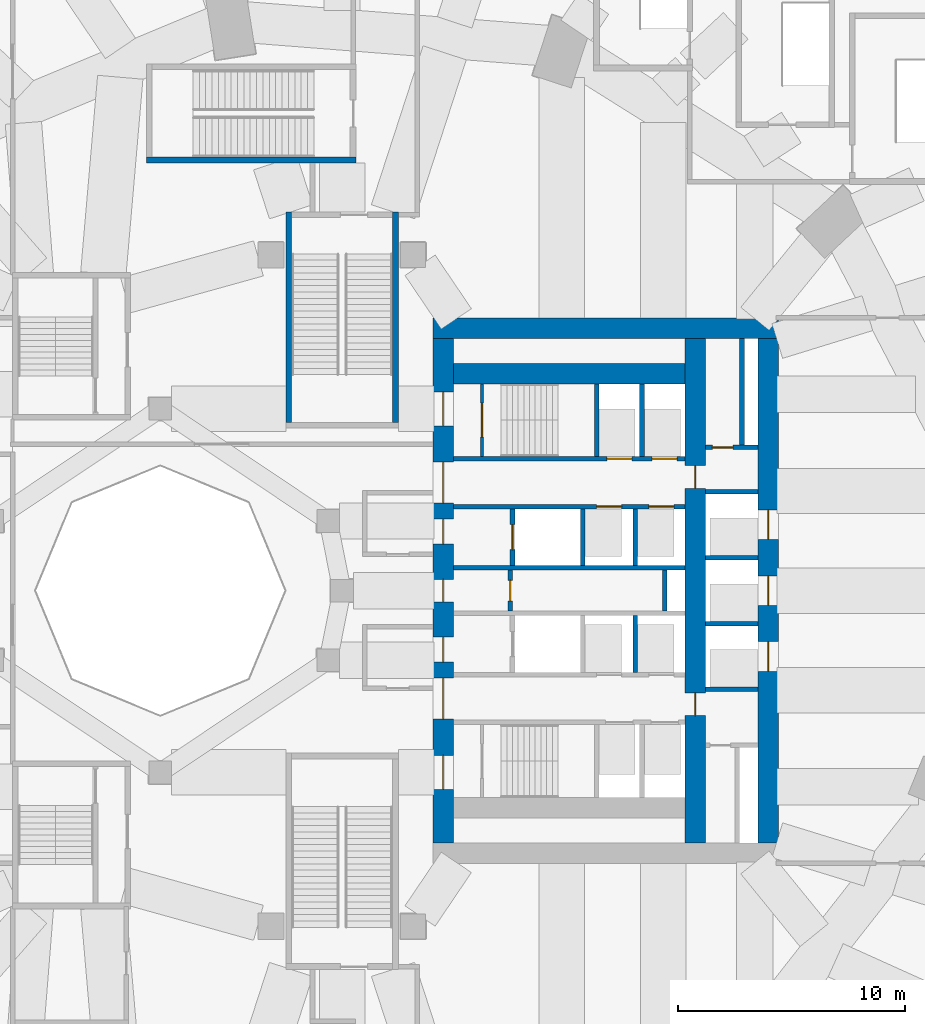
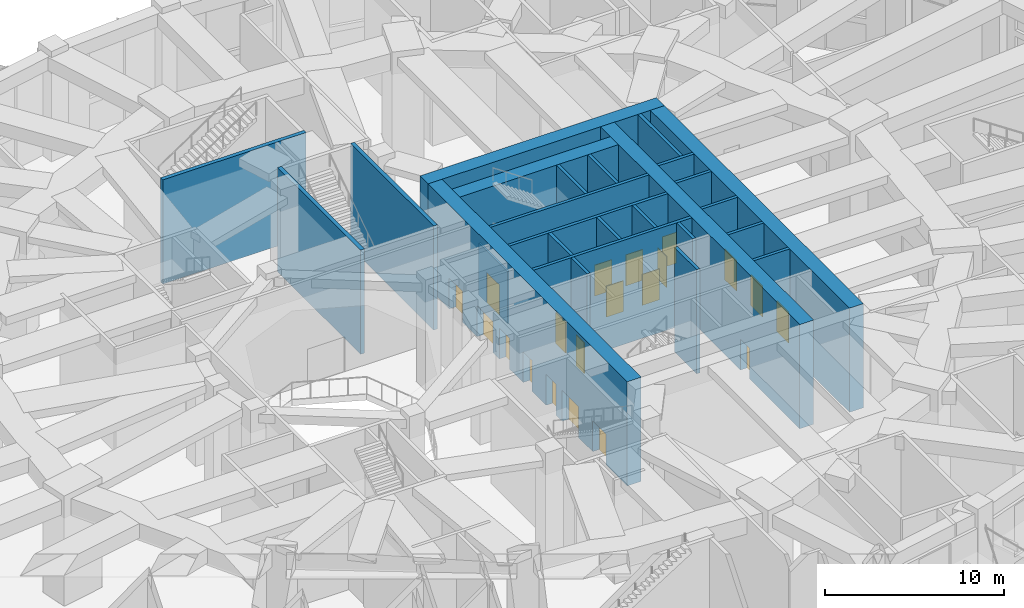
# One storey, part 37 of 60: 26 walls, 20 doors, 20 openings.
"""IFC4 building model written with IfcOpenShell, lengths in metres."""

from ifc_helpers import new_model, si_unit, direction, frame, frame_2d, origin, place, context, subcontext, project, spatial, rectangle, extrude, material, layer, layer_set, type_object, element, fill, save


model = new_model("IFC4")

# Units and contexts
model_context = context("Model", 3, precision=1e-05, world=origin(), true_north=direction((0.0, 1.0)))
body_context = subcontext(model_context, "Body", "Model", "MODEL_VIEW")
ifc_project = project(units=[si_unit("LENGTHUNIT", "METRE"), si_unit("AREAUNIT", "SQUARE_METRE"), si_unit("VOLUMEUNIT", "CUBIC_METRE"), si_unit("PLANEANGLEUNIT", "RADIAN"), si_unit("MASSUNIT", "GRAM", prefix="KILO")], contexts=[model_context])

# Site, building, storey
site_placement = place(None, origin())
site = spatial("IfcSite", under=ifc_project, at=site_placement, CompositionType="ELEMENT")
building_placement = place(site_placement, origin())
building = spatial("IfcBuilding", under=site, at=building_placement, Name="Taillehof Tower", CompositionType="ELEMENT")
storey_placement = place(building_placement, origin())
storey = spatial("IfcBuildingStorey", under=building, at=storey_placement, Name="L00", CompositionType="ELEMENT", Elevation=0.0)

# Wall, opening, door
ifc_material_1 = material(Name="Calcium silicate masonry", Category="masonry")
ifc_layer_1 = layer(ifc_material_1, 0.199951171875)
ifc_layer_set_1 = layer_set([ifc_layer_1], Name="Compartment wall calcium silicate 200")
wall_type_1 = type_object("IfcWallType", Name="Compartment wall calcium silicate 200", PredefinedType="PARTITIONING", material=ifc_layer_set_1)
wall_1_placement = place(storey_placement, frame((7.39990234375, -0.89990234375, 0.0), z_axis=(0.0, 0.0, 1.0), x_axis=(0.0, 1.0, 0.0)))
wall_1 = element("IfcWall", 1, at=wall_1_placement, inside=storey, type_object=wall_type_1, Name="Compartment wall FW", PredefinedType="PARTITIONING", context=body_context, shape_type="SweptSolid", body=[
    extrude(rectangle(XDim=1.7998046875, YDim=0.199951171875, at=frame_2d((0.89990234375, 0.0))), origin(), (0.0, 0.0, 1.0), 7.090087890625),
])
opening_1_placement = place(wall_1_placement, frame((0.449951171875, 0.0, 0.0)))
opening_1 = element("IfcOpeningElement", 2, at=opening_1_placement, cuts=wall_1, Name="Opening D0012", PredefinedType="OPENING", context=body_context, shape_type="SweptSolid", body=[
    extrude(rectangle(XDim=0.89990234375, YDim=2.10009765625, at=frame_2d((0.449951171875, 1.050048828125))), frame((0.0, 0.10986328125, 0.0), z_axis=(0.0, -1.0, 0.0), x_axis=(1.0, 0.0, 0.0)), (0.0, 0.0, 1.0), 0.219970703125),
])
ifc_material_2 = material(Name="Steel-faced fire door", Category="steel")
door_type_1 = type_object("IfcDoorType", Name="Riser and service room door 900x2100", OperationType="SINGLE_SWING_LEFT", PredefinedType="DOOR", material=ifc_material_2)
door_1_placement = place(opening_1_placement, origin())
door_1 = element("IfcDoor", 3, at=door_1_placement, inside=storey, type_object=door_type_1, Name="Door Electrical Room", OperationType="SINGLE_SWING_RIGHT", OverallHeight=2.10009765625, OverallWidth=0.89990234375, PredefinedType="DOOR", context=body_context, shape_type="SweptSolid", body=[
    extrude(rectangle(XDim=0.89990234375, YDim=2.10009765625, at=frame_2d((0.449951171875, 1.050048828125))), frame((0.0, 0.02490234375, 0.0), z_axis=(0.0, -1.0, 0.0), x_axis=(1.0, 0.0, 0.0)), (0.0, 0.0, 1.0), 0.050048828125),
])
fill(opening_1, door_1)

# Wall
wall_2_placement = place(storey_placement, frame((14.199951171875, -0.89990234375, 0.0), z_axis=(0.0, 0.0, 1.0), x_axis=(0.0, 1.0, 0.0)))
element("IfcWall", 4, at=wall_2_placement, inside=storey, type_object=wall_type_1, Name="Compartment wall FW", PredefinedType="PARTITIONING", context=body_context, shape_type="SweptSolid", body=[
    extrude(rectangle(XDim=1.7998046875, YDim=0.199951171875, at=frame_2d((0.89990234375, 0.0))), origin(), (0.0, 0.0, 1.0), 7.090087890625),
])

# Wall, opening, door
wall_3_placement = place(storey_placement, frame((16.0, 6.300048828125, 0.0), z_axis=(0.0, 0.0, 1.0), x_axis=(1.0, 0.0, 0.0)))
wall_3 = element("IfcWall", 5, at=wall_3_placement, inside=storey, type_object=wall_type_1, Name="Compartment wall FW", PredefinedType="PARTITIONING", context=body_context, shape_type="SweptSolid", body=[
    extrude(rectangle(XDim=2.300048828125, YDim=0.199951171875, at=frame_2d((1.14990234375, 0.0))), origin(), (0.0, 0.0, 1.0), 7.090087890625),
])
opening_2_placement = place(wall_3_placement, frame((0.300048828125, 0.0, 0.0)))
opening_2 = element("IfcOpeningElement", 6, at=opening_2_placement, cuts=wall_3, Name="Opening D0014", PredefinedType="OPENING", context=body_context, shape_type="SweptSolid", body=[
    extrude(rectangle(XDim=0.89990234375, YDim=2.10009765625, at=frame_2d((0.449951171875, 1.050048828125))), frame((0.0, 0.10986328125, 0.0), z_axis=(0.0, -1.0, 0.0), x_axis=(1.0, 0.0, 0.0)), (0.0, 0.0, 1.0), 0.219970703125),
])
door_2_placement = place(opening_2_placement, origin())
door_2 = element("IfcDoor", 7, at=door_2_placement, inside=storey, type_object=door_type_1, Name="Door Electrical Room", OperationType="SINGLE_SWING_RIGHT", OverallHeight=2.10009765625, OverallWidth=0.89990234375, PredefinedType="DOOR", context=body_context, shape_type="SweptSolid", body=[
    extrude(rectangle(XDim=0.89990234375, YDim=2.10009765625, at=frame_2d((0.449951171875, 1.050048828125))), frame((0.0, 0.02490234375, 0.0), z_axis=(0.0, -1.0, 0.0), x_axis=(1.0, 0.0, 0.0)), (0.0, 0.0, 1.0), 0.050048828125),
])
fill(opening_2, door_2)

# Wall
wall_4_placement = place(storey_placement, frame((17.60009765625, 6.39990234375, 0.0), z_axis=(0.0, 0.0, 1.0), x_axis=(0.0, 1.0, 0.0)))
element("IfcWall", 8, at=wall_4_placement, inside=storey, type_object=wall_type_1, Name="Compartment wall FW", PredefinedType="PARTITIONING", context=body_context, shape_type="SweptSolid", body=[
    extrude(rectangle(XDim=4.7001953125, YDim=0.199951171875, at=frame_2d((2.35009765625, 0.0))), origin(), (0.0, 0.0, 1.0), 7.090087890625),
])

# Wall, openings, doors
ifc_material_3 = material(Name="Concrete C80/95", Category="concrete")
ifc_layer_2 = layer(ifc_material_3, 0.89990234375)
ifc_layer_set_2 = layer_set([ifc_layer_2], Name="Core wall C80/95 900")
wall_type_2 = type_object("IfcWallType", Name="Core wall C80/95 900", PredefinedType="SHEAR", material=ifc_layer_set_2)
wall_5_placement = place(storey_placement, frame((4.449951171875, -11.10009765625, 0.0), z_axis=(0.0, 0.0, 1.0), x_axis=(0.0, 1.0, 0.0)))
wall_5 = element("IfcWall", 9, at=wall_5_placement, inside=storey, type_object=wall_type_2, Name="Core wall CW01", PredefinedType="SHEAR", context=body_context, shape_type="SweptSolid", body=[
    extrude(rectangle(XDim=22.2001953125, YDim=0.89990234375, at=frame_2d((11.10009765625, 0.0))), origin(), (0.0, 0.0, 1.0), 7.090087890625),
])
opening_3_placement = place(wall_5_placement, frame((2.35009765625, 0.0, 0.0)))
opening_3 = element("IfcOpeningElement", 10, at=opening_3_placement, cuts=wall_5, Name="Opening D0001", PredefinedType="OPENING", context=body_context, shape_type="SweptSolid", body=[
    extrude(rectangle(XDim=1.5, YDim=2.10009765625, at=frame_2d((0.75, 1.050048828125))), frame((0.0, 0.4599609375, 0.0), z_axis=(0.0, -1.0, 0.0), x_axis=(1.0, 0.0, 0.0)), (0.0, 0.0, 1.0), 0.919921875),
])
opening_4_placement = place(wall_5_placement, frame((5.449951171875, 0.0, 0.0)))
opening_4 = element("IfcOpeningElement", 11, at=opening_4_placement, cuts=wall_5, Name="Opening D0002", PredefinedType="OPENING", context=body_context, shape_type="SweptSolid", body=[
    extrude(rectangle(XDim=1.800048828125, YDim=2.10009765625, at=frame_2d((0.89990234375, 1.050048828125))), frame((0.0, 0.4599609375, 0.0), z_axis=(0.0, -1.0, 0.0), x_axis=(1.0, 0.0, 0.0)), (0.0, 0.0, 1.0), 0.919921875),
])
opening_5_placement = place(wall_5_placement, frame((7.949951171875, 0.0, 0.0)))
opening_5 = element("IfcOpeningElement", 12, at=opening_5_placement, cuts=wall_5, Name="Opening D0003", PredefinedType="OPENING", context=body_context, shape_type="SweptSolid", body=[
    extrude(rectangle(XDim=1.10009765625, YDim=2.10009765625, at=frame_2d((0.550048828125, 1.050048828125))), frame((0.0, 0.4599609375, 0.0), z_axis=(0.0, -1.0, 0.0), x_axis=(1.0, 0.0, 0.0)), (0.0, 0.0, 1.0), 0.919921875),
])
opening_6_placement = place(wall_5_placement, frame((10.60009765625, 0.0, 0.0)))
opening_6 = element("IfcOpeningElement", 13, at=opening_6_placement, cuts=wall_5, Name="Opening D0004", PredefinedType="OPENING", context=body_context, shape_type="SweptSolid", body=[
    extrude(rectangle(XDim=1.0, YDim=2.10009765625, at=frame_2d((0.5, 1.050048828125))), frame((0.0, 0.4599609375, 0.0), z_axis=(0.0, -1.0, 0.0), x_axis=(1.0, 0.0, 0.0)), (0.0, 0.0, 1.0), 0.919921875),
])
opening_7_placement = place(wall_5_placement, frame((13.14990234375, 0.0, 0.0)))
opening_7 = element("IfcOpeningElement", 14, at=opening_7_placement, cuts=wall_5, Name="Opening D0005", PredefinedType="OPENING", context=body_context, shape_type="SweptSolid", body=[
    extrude(rectangle(XDim=1.10009765625, YDim=2.10009765625, at=frame_2d((0.550048828125, 1.050048828125))), frame((0.0, 0.4599609375, 0.0), z_axis=(0.0, -1.0, 0.0), x_axis=(1.0, 0.0, 0.0)), (0.0, 0.0, 1.0), 0.919921875),
])
opening_8_placement = place(wall_5_placement, frame((14.949951171875, 0.0, 0.0)))
opening_8 = element("IfcOpeningElement", 15, at=opening_8_placement, cuts=wall_5, Name="Opening D0006", PredefinedType="OPENING", context=body_context, shape_type="SweptSolid", body=[
    extrude(rectangle(XDim=1.800048828125, YDim=2.10009765625, at=frame_2d((0.89990234375, 1.050048828125))), frame((0.0, 0.4599609375, 0.0), z_axis=(0.0, -1.0, 0.0), x_axis=(1.0, 0.0, 0.0)), (0.0, 0.0, 1.0), 0.919921875),
])
opening_9_placement = place(wall_5_placement, frame((18.35009765625, 0.0, 0.0)))
opening_9 = element("IfcOpeningElement", 16, at=opening_9_placement, cuts=wall_5, Name="Opening D0007", PredefinedType="OPENING", context=body_context, shape_type="SweptSolid", body=[
    extrude(rectangle(XDim=1.5, YDim=2.10009765625, at=frame_2d((0.75, 1.050048828125))), frame((0.0, 0.4599609375, 0.0), z_axis=(0.0, -1.0, 0.0), x_axis=(1.0, 0.0, 0.0)), (0.0, 0.0, 1.0), 0.919921875),
])
ifc_material_4 = material(Name="Steel-faced fire door", Category="steel")
door_type_2 = type_object("IfcDoorType", Name="Firefighting lobby door 1100x2100", OperationType="SINGLE_SWING_RIGHT", PredefinedType="DOOR", material=ifc_material_4)
door_3_placement = place(opening_5_placement, origin())
door_3 = element("IfcDoor", 17, at=door_3_placement, inside=storey, type_object=door_type_2, Name="Firefighting lobby door FFL-S", OperationType="SINGLE_SWING_RIGHT", OverallHeight=2.10009765625, OverallWidth=1.10009765625, PredefinedType="DOOR", context=body_context, shape_type="SweptSolid", body=[
    extrude(rectangle(XDim=1.10009765625, YDim=2.10009765625, at=frame_2d((0.550048828125, 1.050048828125))), frame((0.0, 0.02490234375, 0.0), z_axis=(0.0, -1.0, 0.0), x_axis=(1.0, 0.0, 0.0)), (0.0, 0.0, 1.0), 0.050048828125),
])
fill(opening_5, door_3)
door_4_placement = place(opening_7_placement, origin())
door_4 = element("IfcDoor", 18, at=door_4_placement, inside=storey, type_object=door_type_2, Name="Firefighting lobby door FFL-N", OperationType="SINGLE_SWING_LEFT", OverallHeight=2.10009765625, OverallWidth=1.10009765625, PredefinedType="DOOR", context=body_context, shape_type="SweptSolid", body=[
    extrude(rectangle(XDim=1.10009765625, YDim=2.10009765625, at=frame_2d((0.550048828125, 1.050048828125))), frame((0.0, 0.02490234375, 0.0), z_axis=(0.0, -1.0, 0.0), x_axis=(1.0, 0.0, 0.0)), (0.0, 0.0, 1.0), 0.050048828125),
])
fill(opening_7, door_4)
ifc_material_5 = material(Name="Steel-faced fire door", Category="steel")
door_type_3 = type_object("IfcDoorType", Name="Lift lobby door 1800x2100", OperationType="DOUBLE_DOOR_SINGLE_SWING", PredefinedType="DOOR", material=ifc_material_5)
door_5_placement = place(opening_4_placement, origin())
door_5 = element("IfcDoor", 19, at=door_5_placement, inside=storey, type_object=door_type_3, Name="Lift lobby door LL-S", OperationType="DOUBLE_DOOR_SINGLE_SWING", OverallHeight=2.10009765625, OverallWidth=1.800048828125, PredefinedType="DOOR", context=body_context, shape_type="SweptSolid", body=[
    extrude(rectangle(XDim=1.800048828125, YDim=2.10009765625, at=frame_2d((0.89990234375, 1.050048828125))), frame((0.0, 0.02490234375, 0.0), z_axis=(0.0, -1.0, 0.0), x_axis=(1.0, 0.0, 0.0)), (0.0, 0.0, 1.0), 0.050048828125),
])
fill(opening_4, door_5)
door_6_placement = place(opening_8_placement, origin())
door_6 = element("IfcDoor", 20, at=door_6_placement, inside=storey, type_object=door_type_3, Name="Lift lobby door LL-N", OperationType="DOUBLE_DOOR_SINGLE_SWING", OverallHeight=2.10009765625, OverallWidth=1.800048828125, PredefinedType="DOOR", context=body_context, shape_type="SweptSolid", body=[
    extrude(rectangle(XDim=1.800048828125, YDim=2.10009765625, at=frame_2d((0.89990234375, 1.050048828125))), frame((0.0, 0.02490234375, 0.0), z_axis=(0.0, -1.0, 0.0), x_axis=(1.0, 0.0, 0.0)), (0.0, 0.0, 1.0), 0.050048828125),
])
fill(opening_8, door_6)
ifc_material_6 = material(Name="Steel-faced fire door", Category="steel")
door_type_4 = type_object("IfcDoorType", Name="Service door 1000x2100", OperationType="SINGLE_SWING_RIGHT", PredefinedType="DOOR", material=ifc_material_6)
door_7_placement = place(opening_6_placement, origin())
door_7 = element("IfcDoor", 21, at=door_7_placement, inside=storey, type_object=door_type_4, Name="Service door SV", OperationType="SINGLE_SWING_RIGHT", OverallHeight=2.10009765625, OverallWidth=1.0, PredefinedType="DOOR", context=body_context, shape_type="SweptSolid", body=[
    extrude(rectangle(XDim=1.0, YDim=2.10009765625, at=frame_2d((0.5, 1.050048828125))), frame((0.0, 0.02490234375, 0.0), z_axis=(0.0, -1.0, 0.0), x_axis=(1.0, 0.0, 0.0)), (0.0, 0.0, 1.0), 0.050048828125),
])
fill(opening_6, door_7)
ifc_material_7 = material(Name="Steel-faced fire door", Category="steel")
door_type_5 = type_object("IfcDoorType", Name="Stair door 1500x2100", OperationType="DOUBLE_DOOR_SINGLE_SWING", PredefinedType="DOOR", material=ifc_material_7)
door_8_placement = place(opening_3_placement, origin())
door_8 = element("IfcDoor", 22, at=door_8_placement, inside=storey, type_object=door_type_5, Name="Stair door S2", OperationType="DOUBLE_DOOR_SINGLE_SWING", OverallHeight=2.10009765625, OverallWidth=1.5, PredefinedType="DOOR", context=body_context, shape_type="SweptSolid", body=[
    extrude(rectangle(XDim=1.5, YDim=2.10009765625, at=frame_2d((0.75, 1.050048828125))), frame((0.0, 0.02490234375, 0.0), z_axis=(0.0, -1.0, 0.0), x_axis=(1.0, 0.0, 0.0)), (0.0, 0.0, 1.0), 0.050048828125),
])
fill(opening_3, door_8)
door_9_placement = place(opening_9_placement, origin())
door_9 = element("IfcDoor", 23, at=door_9_placement, inside=storey, type_object=door_type_5, Name="Stair door S1", OperationType="DOUBLE_DOOR_SINGLE_SWING", OverallHeight=2.10009765625, OverallWidth=1.5, PredefinedType="DOOR", context=body_context, shape_type="SweptSolid", body=[
    extrude(rectangle(XDim=1.5, YDim=2.10009765625, at=frame_2d((0.75, 1.050048828125))), frame((0.0, 0.02490234375, 0.0), z_axis=(0.0, -1.0, 0.0), x_axis=(1.0, 0.0, 0.0)), (0.0, 0.0, 1.0), 0.050048828125),
])
fill(opening_9, door_9)

wall_6_placement = place(storey_placement, frame((18.75, -11.10009765625, 0.0), z_axis=(0.0, 0.0, 1.0), x_axis=(0.0, 1.0, 0.0)))
wall_6 = element("IfcWall", 24, at=wall_6_placement, inside=storey, type_object=wall_type_2, Name="Core wall CW02", PredefinedType="SHEAR", context=body_context, shape_type="SweptSolid", body=[
    extrude(rectangle(XDim=22.2001953125, YDim=0.89990234375, at=frame_2d((11.10009765625, 0.0))), origin(), (0.0, 0.0, 1.0), 7.090087890625),
])
opening_10_placement = place(wall_6_placement, frame((7.550048828125, 0.0, 0.0)))
opening_10 = element("IfcOpeningElement", 25, at=opening_10_placement, cuts=wall_6, Name="Opening LD3", PredefinedType="OPENING", context=body_context, shape_type="SweptSolid", body=[
    extrude(rectangle(XDim=1.300048828125, YDim=2.10009765625, at=frame_2d((0.64990234375, 1.050048828125))), frame((0.0, 0.4599609375, 0.0), z_axis=(0.0, -1.0, 0.0), x_axis=(1.0, 0.0, 0.0)), (0.0, 0.0, 1.0), 0.919921875),
])
opening_11_placement = place(wall_6_placement, frame((10.449951171875, 0.0, 0.0)))
opening_11 = element("IfcOpeningElement", 26, at=opening_11_placement, cuts=wall_6, Name="Opening LD3", PredefinedType="OPENING", context=body_context, shape_type="SweptSolid", body=[
    extrude(rectangle(XDim=1.300048828125, YDim=2.10009765625, at=frame_2d((0.64990234375, 1.050048828125))), frame((0.0, 0.4599609375, 0.0), z_axis=(0.0, -1.0, 0.0), x_axis=(1.0, 0.0, 0.0)), (0.0, 0.0, 1.0), 0.919921875),
])
opening_12_placement = place(wall_6_placement, frame((13.35009765625, 0.0, 0.0)))
opening_12 = element("IfcOpeningElement", 27, at=opening_12_placement, cuts=wall_6, Name="Opening LD3", PredefinedType="OPENING", context=body_context, shape_type="SweptSolid", body=[
    extrude(rectangle(XDim=1.300048828125, YDim=2.10009765625, at=frame_2d((0.64990234375, 1.050048828125))), frame((0.0, 0.4599609375, 0.0), z_axis=(0.0, -1.0, 0.0), x_axis=(1.0, 0.0, 0.0)), (0.0, 0.0, 1.0), 0.919921875),
])
ifc_material_8 = material(Name="Stainless steel", Category="steel")
door_type_6 = type_object("IfcDoorType", Name="Lift landing door LD3 1300x2100", OperationType="DOUBLE_DOOR_SLIDING", PredefinedType="DOOR", material=ifc_material_8)
door_10_placement = place(opening_10_placement, origin())
door_10 = element("IfcDoor", 28, at=door_10_placement, inside=storey, type_object=door_type_6, Name="Landing door SH1", OperationType="DOUBLE_DOOR_SLIDING", OverallHeight=2.10009765625, OverallWidth=1.300048828125, PredefinedType="DOOR", context=body_context, shape_type="SweptSolid", body=[
    extrude(rectangle(XDim=1.300048828125, YDim=2.10009765625, at=frame_2d((0.64990234375, 1.050048828125))), frame((0.0, 0.02490234375, 0.0), z_axis=(0.0, -1.0, 0.0), x_axis=(1.0, 0.0, 0.0)), (0.0, 0.0, 1.0), 0.050048828125),
])
fill(opening_10, door_10)
door_11_placement = place(opening_11_placement, origin())
door_11 = element("IfcDoor", 29, at=door_11_placement, inside=storey, type_object=door_type_6, Name="Landing door SH2", OperationType="DOUBLE_DOOR_SLIDING", OverallHeight=2.10009765625, OverallWidth=1.300048828125, PredefinedType="DOOR", context=body_context, shape_type="SweptSolid", body=[
    extrude(rectangle(XDim=1.300048828125, YDim=2.10009765625, at=frame_2d((0.64990234375, 1.050048828125))), frame((0.0, 0.02490234375, 0.0), z_axis=(0.0, -1.0, 0.0), x_axis=(1.0, 0.0, 0.0)), (0.0, 0.0, 1.0), 0.050048828125),
])
fill(opening_11, door_11)
door_12_placement = place(opening_12_placement, origin())
door_12 = element("IfcDoor", 30, at=door_12_placement, inside=storey, type_object=door_type_6, Name="Landing door SH3", OperationType="DOUBLE_DOOR_SLIDING", OverallHeight=2.10009765625, OverallWidth=1.300048828125, PredefinedType="DOOR", context=body_context, shape_type="SweptSolid", body=[
    extrude(rectangle(XDim=1.300048828125, YDim=2.10009765625, at=frame_2d((0.64990234375, 1.050048828125))), frame((0.0, 0.02490234375, 0.0), z_axis=(0.0, -1.0, 0.0), x_axis=(1.0, 0.0, 0.0)), (0.0, 0.0, 1.0), 0.050048828125),
])
fill(opening_12, door_12)

# Wall
wall_7_placement = place(storey_placement, frame((4.0, 11.550048828125, 0.0), z_axis=(0.0, 0.0, 1.0), x_axis=(1.0, 0.0, 0.0)))
element("IfcWall", 31, at=wall_7_placement, inside=storey, type_object=wall_type_2, Name="Core wall CW03", PredefinedType="SHEAR", context=body_context, shape_type="SweptSolid", body=[
    extrude(rectangle(XDim=15.199951171875, YDim=0.89990234375, at=frame_2d((7.60009765625, 0.0))), origin(), (0.0, 0.0, 1.0), 7.090087890625),
])

# Wall, openings, doors
wall_8_placement = place(storey_placement, frame((15.550048828125, -11.10009765625, 0.0), z_axis=(0.0, 0.0, 1.0), x_axis=(0.0, 1.0, 0.0)))
wall_8 = element("IfcWall", 32, at=wall_8_placement, inside=storey, type_object=wall_type_2, Name="Core wall CW05", PredefinedType="SHEAR", context=body_context, shape_type="SweptSolid", body=[
    extrude(rectangle(XDim=22.2001953125, YDim=0.89990234375, at=frame_2d((11.10009765625, 0.0))), origin(), (0.0, 0.0, 1.0), 7.090087890625),
])
opening_13_placement = place(wall_8_placement, frame((15.60009765625, 0.0, 0.0)))
opening_13 = element("IfcOpeningElement", 33, at=opening_13_placement, cuts=wall_8, Name="Opening D0013", PredefinedType="OPENING", context=body_context, shape_type="SweptSolid", body=[
    extrude(rectangle(XDim=1.0, YDim=2.10009765625, at=frame_2d((0.5, 1.050048828125))), frame((0.0, 0.4599609375, 0.0), z_axis=(0.0, -1.0, 0.0), x_axis=(1.0, 0.0, 0.0)), (0.0, 0.0, 1.0), 0.919921875),
])
opening_14_placement = place(wall_8_placement, frame((5.60009765625, 0.0, 0.0)))
opening_14 = element("IfcOpeningElement", 34, at=opening_14_placement, cuts=wall_8, Name="Opening D0015", PredefinedType="OPENING", context=body_context, shape_type="SweptSolid", body=[
    extrude(rectangle(XDim=1.0, YDim=2.10009765625, at=frame_2d((0.5, 1.050048828125))), frame((0.0, 0.4599609375, 0.0), z_axis=(0.0, -1.0, 0.0), x_axis=(1.0, 0.0, 0.0)), (0.0, 0.0, 1.0), 0.919921875),
])
door_13_placement = place(opening_13_placement, origin())
door_13 = element("IfcDoor", 35, at=door_13_placement, inside=storey, type_object=door_type_4, Name="Service door strip", OperationType="SINGLE_SWING_RIGHT", OverallHeight=2.10009765625, OverallWidth=1.0, PredefinedType="DOOR", context=body_context, shape_type="SweptSolid", body=[
    extrude(rectangle(XDim=1.0, YDim=2.10009765625, at=frame_2d((0.5, 1.050048828125))), frame((0.0, 0.02490234375, 0.0), z_axis=(0.0, -1.0, 0.0), x_axis=(1.0, 0.0, 0.0)), (0.0, 0.0, 1.0), 0.050048828125),
])
fill(opening_13, door_13)
door_14_placement = place(opening_14_placement, origin())
door_14 = element("IfcDoor", 36, at=door_14_placement, inside=storey, type_object=door_type_4, Name="Service door strip", OperationType="SINGLE_SWING_LEFT", OverallHeight=2.10009765625, OverallWidth=1.0, PredefinedType="DOOR", context=body_context, shape_type="SweptSolid", body=[
    extrude(rectangle(XDim=1.0, YDim=2.10009765625, at=frame_2d((0.5, 1.050048828125))), frame((0.0, 0.02490234375, 0.0), z_axis=(0.0, -1.0, 0.0), x_axis=(1.0, 0.0, 0.0)), (0.0, 0.0, 1.0), 0.050048828125),
])
fill(opening_14, door_14)

# Wall
wall_9_placement = place(storey_placement, frame((4.89990234375, 9.550048828125, 0.0), z_axis=(0.0, 0.0, 1.0), x_axis=(1.0, 0.0, 0.0)))
element("IfcWall", 37, at=wall_9_placement, inside=storey, type_object=wall_type_2, Name="Core wall CW06", PredefinedType="SHEAR", context=body_context, shape_type="SweptSolid", body=[
    extrude(rectangle(XDim=10.2001953125, YDim=0.89990234375, at=frame_2d((5.10009765625, 0.0))), origin(), (0.0, 0.0, 1.0), 7.090087890625),
])

# Wall, openings, doors
ifc_material_9 = material(Name="Concrete C50/60", Category="concrete")
ifc_layer_3 = layer(ifc_material_9, 0.199951171875)
ifc_layer_set_3 = layer_set([ifc_layer_3], Name="Shaft wall C50/60 200")
wall_type_3 = type_object("IfcWallType", Name="Shaft wall C50/60 200", PredefinedType="SHEAR", material=ifc_layer_set_3)
wall_10_placement = place(storey_placement, frame((4.89990234375, 5.800048828125, 0.0), z_axis=(0.0, 0.0, 1.0), x_axis=(1.0, 0.0, 0.0)))
wall_10 = element("IfcWall", 38, at=wall_10_placement, inside=storey, type_object=wall_type_3, Name="Shaft wall SW", PredefinedType="SHEAR", context=body_context, shape_type="SweptSolid", body=[
    extrude(rectangle(XDim=10.2001953125, YDim=0.199951171875, at=frame_2d((5.10009765625, 0.0))), origin(), (0.0, 0.0, 1.0), 7.090087890625),
])
opening_15_placement = place(wall_10_placement, frame((6.75, 0.0, 0.0)))
opening_15 = element("IfcOpeningElement", 39, at=opening_15_placement, cuts=wall_10, Name="Opening LD1", PredefinedType="OPENING", context=body_context, shape_type="SweptSolid", body=[
    extrude(rectangle(XDim=1.10009765625, YDim=2.10009765625, at=frame_2d((0.550048828125, 1.050048828125))), frame((0.0, 0.10986328125, 0.0), z_axis=(0.0, -1.0, 0.0), x_axis=(1.0, 0.0, 0.0)), (0.0, 0.0, 1.0), 0.219970703125),
])
opening_16_placement = place(wall_10_placement, frame((8.75, 0.0, 0.0)))
opening_16 = element("IfcOpeningElement", 40, at=opening_16_placement, cuts=wall_10, Name="Opening LD1", PredefinedType="OPENING", context=body_context, shape_type="SweptSolid", body=[
    extrude(rectangle(XDim=1.10009765625, YDim=2.10009765625, at=frame_2d((0.550048828125, 1.050048828125))), frame((0.0, 0.10986328125, 0.0), z_axis=(0.0, -1.0, 0.0), x_axis=(1.0, 0.0, 0.0)), (0.0, 0.0, 1.0), 0.219970703125),
])
ifc_material_10 = material(Name="Stainless steel", Category="steel")
door_type_7 = type_object("IfcDoorType", Name="Lift landing door LD1 1100x2100", OperationType="DOUBLE_DOOR_SLIDING", PredefinedType="DOOR", material=ifc_material_10)
door_15_placement = place(opening_15_placement, origin())
door_15 = element("IfcDoor", 41, at=door_15_placement, inside=storey, type_object=door_type_7, Name="Landing door LR1", OperationType="DOUBLE_DOOR_SLIDING", OverallHeight=2.10009765625, OverallWidth=1.10009765625, PredefinedType="DOOR", context=body_context, shape_type="SweptSolid", body=[
    extrude(rectangle(XDim=1.10009765625, YDim=2.10009765625, at=frame_2d((0.550048828125, 1.050048828125))), frame((0.0, 0.02490234375, 0.0), z_axis=(0.0, -1.0, 0.0), x_axis=(1.0, 0.0, 0.0)), (0.0, 0.0, 1.0), 0.050048828125),
])
fill(opening_15, door_15)
door_16_placement = place(opening_16_placement, origin())
door_16 = element("IfcDoor", 42, at=door_16_placement, inside=storey, type_object=door_type_7, Name="Landing door LR2", OperationType="DOUBLE_DOOR_SLIDING", OverallHeight=2.10009765625, OverallWidth=1.10009765625, PredefinedType="DOOR", context=body_context, shape_type="SweptSolid", body=[
    extrude(rectangle(XDim=1.10009765625, YDim=2.10009765625, at=frame_2d((0.550048828125, 1.050048828125))), frame((0.0, 0.02490234375, 0.0), z_axis=(0.0, -1.0, 0.0), x_axis=(1.0, 0.0, 0.0)), (0.0, 0.0, 1.0), 0.050048828125),
])
fill(opening_16, door_16)

wall_11_placement = place(storey_placement, frame((4.89990234375, 3.699951171875, 0.0), z_axis=(0.0, 0.0, 1.0), x_axis=(1.0, 0.0, 0.0)))
wall_11 = element("IfcWall", 43, at=wall_11_placement, inside=storey, type_object=wall_type_3, Name="Shaft wall SW", PredefinedType="SHEAR", context=body_context, shape_type="SweptSolid", body=[
    extrude(rectangle(XDim=10.2001953125, YDim=0.199951171875, at=frame_2d((5.10009765625, 0.0))), origin(), (0.0, 0.0, 1.0), 7.090087890625),
])
opening_17_placement = place(wall_11_placement, frame((6.300048828125, 0.0, 0.0)))
opening_17 = element("IfcOpeningElement", 44, at=opening_17_placement, cuts=wall_11, Name="Opening LD1", PredefinedType="OPENING", context=body_context, shape_type="SweptSolid", body=[
    extrude(rectangle(XDim=1.10009765625, YDim=2.10009765625, at=frame_2d((0.550048828125, 1.050048828125))), frame((0.0, 0.10986328125, 0.0), z_axis=(0.0, -1.0, 0.0), x_axis=(1.0, 0.0, 0.0)), (0.0, 0.0, 1.0), 0.219970703125),
])
opening_18_placement = place(wall_11_placement, frame((8.60009765625, 0.0, 0.0)))
opening_18 = element("IfcOpeningElement", 45, at=opening_18_placement, cuts=wall_11, Name="Opening LD1", PredefinedType="OPENING", context=body_context, shape_type="SweptSolid", body=[
    extrude(rectangle(XDim=1.10009765625, YDim=2.10009765625, at=frame_2d((0.550048828125, 1.050048828125))), frame((0.0, 0.10986328125, 0.0), z_axis=(0.0, -1.0, 0.0), x_axis=(1.0, 0.0, 0.0)), (0.0, 0.0, 1.0), 0.219970703125),
])
door_17_placement = place(opening_17_placement, origin())
door_17 = element("IfcDoor", 46, at=door_17_placement, inside=storey, type_object=door_type_7, Name="Landing door LR3", OperationType="DOUBLE_DOOR_SLIDING", OverallHeight=2.10009765625, OverallWidth=1.10009765625, PredefinedType="DOOR", context=body_context, shape_type="SweptSolid", body=[
    extrude(rectangle(XDim=1.10009765625, YDim=2.10009765625, at=frame_2d((0.550048828125, 1.050048828125))), frame((0.0, 0.02490234375, 0.0), z_axis=(0.0, -1.0, 0.0), x_axis=(1.0, 0.0, 0.0)), (0.0, 0.0, 1.0), 0.050048828125),
])
fill(opening_17, door_17)
door_18_placement = place(opening_18_placement, origin())
door_18 = element("IfcDoor", 47, at=door_18_placement, inside=storey, type_object=door_type_7, Name="Landing door LR4", OperationType="DOUBLE_DOOR_SLIDING", OverallHeight=2.10009765625, OverallWidth=1.10009765625, PredefinedType="DOOR", context=body_context, shape_type="SweptSolid", body=[
    extrude(rectangle(XDim=1.10009765625, YDim=2.10009765625, at=frame_2d((0.550048828125, 1.050048828125))), frame((0.0, 0.02490234375, 0.0), z_axis=(0.0, -1.0, 0.0), x_axis=(1.0, 0.0, 0.0)), (0.0, 0.0, 1.0), 0.050048828125),
])
fill(opening_18, door_18)

# Walls
wall_12_placement = place(storey_placement, frame((4.89990234375, 1.0, 0.0), z_axis=(0.0, 0.0, 1.0), x_axis=(1.0, 0.0, 0.0)))
element("IfcWall", 48, at=wall_12_placement, inside=storey, type_object=wall_type_3, Name="Shaft wall SW", PredefinedType="SHEAR", context=body_context, shape_type="SweptSolid", body=[
    extrude(rectangle(XDim=10.2001953125, YDim=0.199951171875, at=frame_2d((5.10009765625, 0.0))), origin(), (0.0, 0.0, 1.0), 7.090087890625),
])
for number, where, z_axis, x_axis, name in (
    (49, (11.199951171875, 5.89990234375, 0.0), (0.0, 0.0, 1.0), (0.0, 1.0, 0.0), "Shaft wall SW"),
    (50, (13.199951171875, 5.89990234375, 0.0), (0.0, 0.0, 1.0), (0.0, 1.0, 0.0), "Shaft wall SW"),
):
    element("IfcWall", number, at=place(storey_placement, frame(where, z_axis=z_axis, x_axis=x_axis)), inside=storey, type_object=wall_type_3, Name=name, PredefinedType="SHEAR", context=body_context, shape_type="SweptSolid", body=[
        extrude(rectangle(XDim=3.2001953125, YDim=0.199951171875, at=frame_2d((1.60009765625, 0.0))), origin(), (0.0, 0.0, 1.0), 7.090087890625),
    ])

# Wall, opening, door
wall_13_placement = place(storey_placement, frame((7.5, 1.10009765625, 0.0), z_axis=(0.0, 0.0, 1.0), x_axis=(0.0, 1.0, 0.0)))
wall_13 = element("IfcWall", 51, at=wall_13_placement, inside=storey, type_object=wall_type_3, Name="Shaft wall SW", PredefinedType="SHEAR", context=body_context, shape_type="SweptSolid", body=[
    extrude(rectangle(XDim=2.5, YDim=0.199951171875, at=frame_2d((1.25, 0.0))), origin(), (0.0, 0.0, 1.0), 7.090087890625),
])
opening_19_placement = place(wall_13_placement, frame((0.699951171875, 0.0, 0.0)))
opening_19 = element("IfcOpeningElement", 52, at=opening_19_placement, cuts=wall_13, Name="Opening LD1", PredefinedType="OPENING", context=body_context, shape_type="SweptSolid", body=[
    extrude(rectangle(XDim=1.10009765625, YDim=2.10009765625, at=frame_2d((0.550048828125, 1.050048828125))), frame((0.0, 0.10986328125, 0.0), z_axis=(0.0, -1.0, 0.0), x_axis=(1.0, 0.0, 0.0)), (0.0, 0.0, 1.0), 0.219970703125),
])
door_19_placement = place(opening_19_placement, origin())
door_19 = element("IfcDoor", 53, at=door_19_placement, inside=storey, type_object=door_type_7, Name="Landing door FF1", OperationType="DOUBLE_DOOR_SLIDING", OverallHeight=2.10009765625, OverallWidth=1.10009765625, PredefinedType="DOOR", context=body_context, shape_type="SweptSolid", body=[
    extrude(rectangle(XDim=1.10009765625, YDim=2.10009765625, at=frame_2d((0.550048828125, 1.050048828125))), frame((0.0, 0.02490234375, 0.0), z_axis=(0.0, -1.0, 0.0), x_axis=(1.0, 0.0, 0.0)), (0.0, 0.0, 1.0), 0.050048828125),
])
fill(opening_19, door_19)

# Walls
for number, where, z_axis, x_axis, name in (
    (54, (10.60009765625, 1.10009765625, 0.0), (0.0, 0.0, 1.0), (0.0, 1.0, 0.0), "Shaft wall SW"),
    (55, (12.89990234375, 1.10009765625, 0.0), (0.0, 0.0, 1.0), (0.0, 1.0, 0.0), "Shaft wall SW"),
    (56, (12.89990234375, -3.60009765625, 0.0), (0.0, 0.0, 1.0), (0.0, 1.0, 0.0), "Shaft wall SW"),
):
    element("IfcWall", number, at=place(storey_placement, frame(where, z_axis=z_axis, x_axis=x_axis)), inside=storey, type_object=wall_type_3, Name=name, PredefinedType="SHEAR", context=body_context, shape_type="SweptSolid", body=[
        extrude(rectangle(XDim=2.5, YDim=0.199951171875, at=frame_2d((1.25, 0.0))), origin(), (0.0, 0.0, 1.0), 7.090087890625),
    ])
for number, where, z_axis, x_axis, name in (
    (57, (16.0, -4.35009765625, 0.0), (0.0, 0.0, 1.0), (1.0, 0.0, 0.0), "Shaft wall SW"),
    (58, (16.0, -1.449951171875, 0.0), (0.0, 0.0, 1.0), (1.0, 0.0, 0.0), "Shaft wall SW"),
    (59, (16.0, 1.449951171875, 0.0), (0.0, 0.0, 1.0), (1.0, 0.0, 0.0), "Shaft wall SW"),
    (60, (16.0, 4.35009765625, 0.0), (0.0, 0.0, 1.0), (1.0, 0.0, 0.0), "Shaft wall SW"),
):
    element("IfcWall", number, at=place(storey_placement, frame(where, z_axis=z_axis, x_axis=x_axis)), inside=storey, type_object=wall_type_3, Name=name, PredefinedType="SHEAR", context=body_context, shape_type="SweptSolid", body=[
        extrude(rectangle(XDim=2.300048828125, YDim=0.199951171875, at=frame_2d((1.14990234375, 0.0))), origin(), (0.0, 0.0, 1.0), 7.090087890625),
    ])

# Wall, opening, door
ifc_material_11 = material(Name="Concrete C50/60", Category="concrete")
ifc_layer_4 = layer(ifc_material_11, 0.1201171875)
ifc_layer_set_4 = layer_set([ifc_layer_4], Name="Stair lobby wall C50/60 120")
wall_type_4 = type_object("IfcWallType", Name="Stair lobby wall C50/60 120", PredefinedType="SHEAR", material=ifc_layer_set_4)
wall_14_placement = place(storey_placement, frame((6.159912109375, 5.89990234375, 0.0), z_axis=(0.0, 0.0, 1.0), x_axis=(0.0, 1.0, 0.0)))
wall_14 = element("IfcWall", 61, at=wall_14_placement, inside=storey, type_object=wall_type_4, Name="Compartment wall SW", PredefinedType="SHEAR", context=body_context, shape_type="SweptSolid", body=[
    extrude(rectangle(XDim=3.2001953125, YDim=0.1201171875, at=frame_2d((1.60009765625, 0.0))), origin(), (0.0, 0.0, 1.0), 3.5400390625),
])
opening_20_placement = place(wall_14_placement, frame((0.85009765625, 0.0, 0.0)))
opening_20 = element("IfcOpeningElement", 62, at=opening_20_placement, cuts=wall_14, Name="Opening D0008", PredefinedType="OPENING", context=body_context, shape_type="SweptSolid", body=[
    extrude(rectangle(XDim=1.5, YDim=2.10009765625, at=frame_2d((0.75, 1.050048828125))), frame((0.0, 0.070068359375, 0.0), z_axis=(0.0, -1.0, 0.0), x_axis=(1.0, 0.0, 0.0)), (0.0, 0.0, 1.0), 0.14013671875),
])
door_20_placement = place(opening_20_placement, origin())
door_20 = element("IfcDoor", 63, at=door_20_placement, inside=storey, type_object=door_type_5, Name="Stair lobby door S1", OperationType="DOUBLE_DOOR_SINGLE_SWING", OverallHeight=2.10009765625, OverallWidth=1.5, PredefinedType="DOOR", context=body_context, shape_type="SweptSolid", body=[
    extrude(rectangle(XDim=1.5, YDim=2.10009765625, at=frame_2d((0.75, 1.050048828125))), frame((0.0, 0.02490234375, 0.0), z_axis=(0.0, -1.0, 0.0), x_axis=(1.0, 0.0, 0.0)), (0.0, 0.0, 1.0), 0.050048828125),
])
fill(opening_20, door_20)

# Walls
ifc_material_12 = material(Name="Concrete C40/50", Category="concrete")
ifc_layer_5 = layer(ifc_material_12, 0.25)
ifc_layer_set_5 = layer_set([ifc_layer_5], Name="Stair wall EI 120 250 mm")
wall_type_5 = type_object("IfcWallType", Name="Stair wall EI 120 250 mm", PredefinedType="SOLIDWALL", material=ifc_layer_set_5)
wall_15_placement = place(storey_placement, frame((-8.610107421875, 18.949951171875, 0.0), z_axis=(0.0, 0.0, 1.0), x_axis=(1.0, 0.0, 0.0)))
element("IfcWall", 64, at=wall_15_placement, inside=storey, type_object=wall_type_5, Name="Wall L00-03 / L00-37", PredefinedType="SOLIDWALL", context=body_context, shape_type="SweptSolid", body=[
    extrude(rectangle(XDim=9.22021484375, YDim=0.25, at=frame_2d((4.610107421875, 0.0))), origin(), (0.0, 0.0, 1.0), 7.090087890625),
])
for number, where, z_axis, x_axis, name in (
    (65, (-2.35009765625, 7.39990234375, 0.0), (0.0, 0.0, 1.0), (0.0, 1.0, 0.0), "Wall L00-01 / L00-37"),
    (66, (2.35009765625, 7.39990234375, 0.0), (0.0, 0.0, 1.0), (0.0, 1.0, 0.0), "Wall L00-01 / L00-37"),
):
    element("IfcWall", number, at=place(storey_placement, frame(where, z_axis=z_axis, x_axis=x_axis)), inside=storey, type_object=wall_type_5, Name=name, PredefinedType="SOLIDWALL", context=body_context, shape_type="SweptSolid", body=[
        extrude(rectangle(XDim=9.27001953125, YDim=0.25, at=frame_2d((4.635009765625, 0.0))), origin(), (0.0, 0.0, 1.0), 7.090087890625),
    ])

save(model, "model.ifc")
